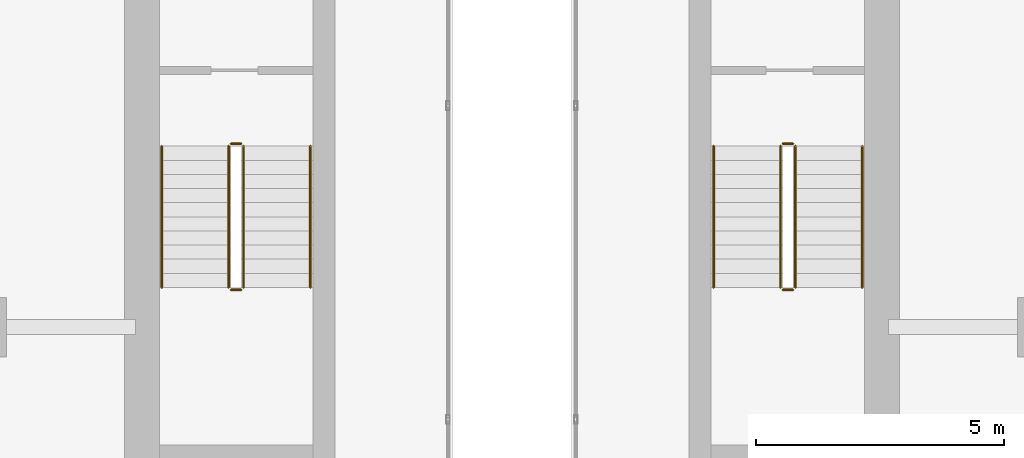
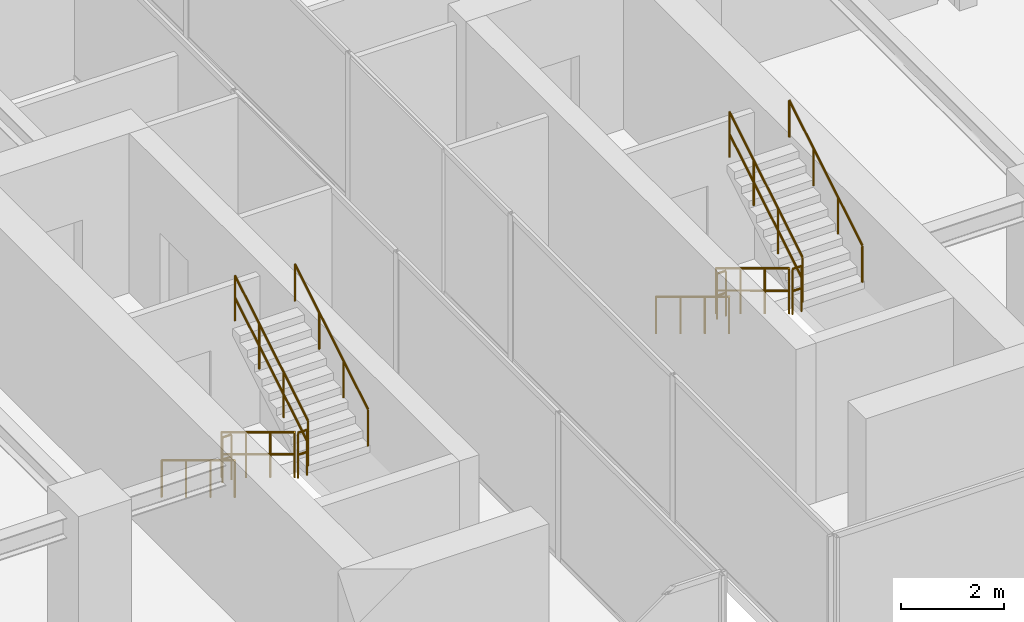
# One storey, part 25 of 25: 12 railings.
"""IFC4 building model written with IfcOpenShell, lengths in metres."""

from ifc_helpers import new_model, si_unit, direction, frame, origin, origin_2d, place, context, subcontext, project, spatial, circle, extrude, material, layer, layer_set, type_object, element, save


model = new_model("IFC4")

# Units and contexts
model_context = context("Model", 3, precision=1e-05, world=origin(), true_north=direction((0.0, 1.0)))
body_context = subcontext(model_context, "Body", "Model", "MODEL_VIEW")
ifc_project = project(units=[si_unit("LENGTHUNIT", "METRE"), si_unit("AREAUNIT", "SQUARE_METRE"), si_unit("VOLUMEUNIT", "CUBIC_METRE"), si_unit("PLANEANGLEUNIT", "RADIAN"), si_unit("MASSUNIT", "GRAM", prefix="KILO")], contexts=[model_context])

# Site, building, storey
site_placement = place(None, origin())
site = spatial("IfcSite", under=ifc_project, at=site_placement, CompositionType="ELEMENT")
building_placement = place(site_placement, origin())
building = spatial("IfcBuilding", under=site, at=building_placement, Name="Krantzveldt Concourse Tower", CompositionType="ELEMENT")
storey_placement = place(building_placement, frame((0.0, 0.0, 370.85009765625)))
storey = spatial("IfcBuildingStorey", under=building, at=storey_placement, Name="L91", CompositionType="ELEMENT", Elevation=370.85009765625)

# Railings
ifc_material = material(Name="Stainless steel 316L", Category="steel")
ifc_layer_1 = layer(ifc_material, 0.06005859375, Name="Stainless steel 316L", Category="steel")
ifc_layer_set_1 = layer_set([ifc_layer_1], Name="Stainless steel 316L (RL-GUARD-1120)")
railing_type_1 = type_object("IfcRailingType", Name="RL-GUARD-1120", PredefinedType="GUARDRAIL", material=ifc_layer_set_1)
railing_1_placement = place(storey_placement, frame((30.280029296875, 19.550048828125, 0.172607421875)))
element("IfcRailing", 1, at=railing_1_placement, inside=storey, type_object=railing_type_1, Name="L91 ST-1 stair guard 1", PredefinedType="GUARDRAIL", context=body_context, shape_type="SweptSolid", body=[
    extrude(circle(Radius=0.02392578125, at=origin_2d()), frame((0.0, 0.0, 1.076171875), z_axis=(0.0, -0.855202751398, 0.518293598264), x_axis=(1.0, 0.0, 0.0)), (0.0, 0.0, 1.0), 3.332763671875),
    extrude(circle(Radius=0.02392578125, at=origin_2d()), frame((0.0, 0.0, 0.550048828125), z_axis=(0.0, -0.855202751398, 0.518293598264), x_axis=(1.0, 0.0, 0.0)), (0.0, 0.0, 1.0), 3.332763671875),
    extrude(circle(Radius=0.02099609375, at=origin_2d()), origin(), (0.0, 0.0, 1.0), 1.052001953125),
    extrude(circle(Radius=0.02099609375, at=origin_2d()), frame((0.0, -0.949951171875, 0.57568359375)), (0.0, 0.0, 1.0), 1.052001953125),
    extrude(circle(Radius=0.02099609375, at=origin_2d()), frame((0.0, -1.900146484375, 1.151611328125)), (0.0, 0.0, 1.0), 1.052001953125),
    extrude(circle(Radius=0.02099609375, at=origin_2d()), frame((0.0, -2.85009765625, 1.727294921875)), (0.0, 0.0, 1.0), 1.052001953125),
])
railing_2_placement = place(storey_placement, frame((30.330078125, 16.64990234375, 1.89990234375)))
element("IfcRailing", 2, at=railing_2_placement, inside=storey, type_object=railing_type_1, Name="L91 ST-1 stair guard 2", PredefinedType="GUARDRAIL", context=body_context, shape_type="SweptSolid", body=[
    extrude(circle(Radius=0.02392578125, at=origin_2d()), frame((0.0, 0.0, 1.076171875), z_axis=(1.0, 0.0, 0.0), x_axis=(0.0, 1.0, 0.0)), (0.0, 0.0, 1.0), 0.199951171875),
    extrude(circle(Radius=0.02392578125, at=origin_2d()), frame((0.0, 0.0, 0.550048828125), z_axis=(1.0, 0.0, 0.0), x_axis=(0.0, 1.0, 0.0)), (0.0, 0.0, 1.0), 0.199951171875),
    extrude(circle(Radius=0.02099609375, at=origin_2d()), origin(), (0.0, 0.0, 1.0), 1.052001953125),
    extrude(circle(Radius=0.02099609375, at=origin_2d()), frame((0.199951171875, 0.0, 0.0)), (0.0, 0.0, 1.0), 1.052001953125),
])
railing_3_placement = place(storey_placement, frame((30.580078125, 16.699951171875, 2.072509765625)))
element("IfcRailing", 3, at=railing_3_placement, inside=storey, type_object=railing_type_1, Name="L91 ST-1 stair guard 3", PredefinedType="GUARDRAIL", context=body_context, shape_type="SweptSolid", body=[
    extrude(circle(Radius=0.02392578125, at=origin_2d()), frame((0.0, 0.0, 1.076171875), z_axis=(0.0, 0.855202751398, 0.518293598264), x_axis=(-1.0, 0.0, 0.0)), (0.0, 0.0, 1.0), 3.332763671875),
    extrude(circle(Radius=0.02392578125, at=origin_2d()), frame((0.0, 0.0, 0.550048828125), z_axis=(0.0, 0.855202751398, 0.518293598264), x_axis=(-1.0, 0.0, 0.0)), (0.0, 0.0, 1.0), 3.332763671875),
    extrude(circle(Radius=0.02099609375, at=origin_2d()), origin(), (0.0, 0.0, 1.0), 1.052001953125),
    extrude(circle(Radius=0.02099609375, at=origin_2d()), frame((0.0, 0.949951171875, 0.57568359375)), (0.0, 0.0, 1.0), 1.052001953125),
    extrude(circle(Radius=0.02099609375, at=origin_2d()), frame((0.0, 1.900146484375, 1.151611328125)), (0.0, 0.0, 1.0), 1.052001953125),
    extrude(circle(Radius=0.02099609375, at=origin_2d()), frame((0.0, 2.85009765625, 1.727294921875)), (0.0, 0.0, 1.0), 1.052001953125),
])
railing_4_placement = place(storey_placement, frame((30.330078125, 19.60009765625, 0.0)))
element("IfcRailing", 4, at=railing_4_placement, inside=storey, type_object=railing_type_1, Name="L91 ST-1 stair guard 4", PredefinedType="GUARDRAIL", context=body_context, shape_type="SweptSolid", body=[
    extrude(circle(Radius=0.02392578125, at=origin_2d()), frame((0.0, 0.0, 1.076171875), z_axis=(1.0, 0.0, 0.0), x_axis=(0.0, 1.0, 0.0)), (0.0, 0.0, 1.0), 0.199951171875),
    extrude(circle(Radius=0.02392578125, at=origin_2d()), frame((0.0, 0.0, 0.550048828125), z_axis=(1.0, 0.0, 0.0), x_axis=(0.0, 1.0, 0.0)), (0.0, 0.0, 1.0), 0.199951171875),
    extrude(circle(Radius=0.02099609375, at=origin_2d()), origin(), (0.0, 0.0, 1.0), 1.052001953125),
    extrude(circle(Radius=0.02099609375, at=origin_2d()), frame((0.199951171875, 0.0, 0.0)), (0.0, 0.0, 1.0), 1.052001953125),
])
railing_5_placement = place(storey_placement, frame((41.419921875, 19.550048828125, 0.172607421875)))
element("IfcRailing", 5, at=railing_5_placement, inside=storey, type_object=railing_type_1, Name="L91 ST-2 stair guard 1", PredefinedType="GUARDRAIL", context=body_context, shape_type="SweptSolid", body=[
    extrude(circle(Radius=0.02392578125, at=origin_2d()), frame((0.0, 0.0, 1.076171875), z_axis=(0.0, -0.855202751398, 0.518293598264), x_axis=(1.0, 0.0, 0.0)), (0.0, 0.0, 1.0), 3.332763671875),
    extrude(circle(Radius=0.02392578125, at=origin_2d()), frame((0.0, 0.0, 0.550048828125), z_axis=(0.0, -0.855202751398, 0.518293598264), x_axis=(1.0, 0.0, 0.0)), (0.0, 0.0, 1.0), 3.332763671875),
    extrude(circle(Radius=0.02099609375, at=origin_2d()), origin(), (0.0, 0.0, 1.0), 1.052001953125),
    extrude(circle(Radius=0.02099609375, at=origin_2d()), frame((0.0, -0.949951171875, 0.57568359375)), (0.0, 0.0, 1.0), 1.052001953125),
    extrude(circle(Radius=0.02099609375, at=origin_2d()), frame((0.0, -1.900146484375, 1.151611328125)), (0.0, 0.0, 1.0), 1.052001953125),
    extrude(circle(Radius=0.02099609375, at=origin_2d()), frame((0.0, -2.85009765625, 1.727294921875)), (0.0, 0.0, 1.0), 1.052001953125),
])
railing_6_placement = place(storey_placement, frame((41.469970703125, 16.64990234375, 1.89990234375)))
element("IfcRailing", 6, at=railing_6_placement, inside=storey, type_object=railing_type_1, Name="L91 ST-2 stair guard 2", PredefinedType="GUARDRAIL", context=body_context, shape_type="SweptSolid", body=[
    extrude(circle(Radius=0.02392578125, at=origin_2d()), frame((0.0, 0.0, 1.076171875), z_axis=(1.0, 0.0, 0.0), x_axis=(0.0, 1.0, 0.0)), (0.0, 0.0, 1.0), 0.199951171875),
    extrude(circle(Radius=0.02392578125, at=origin_2d()), frame((0.0, 0.0, 0.550048828125), z_axis=(1.0, 0.0, 0.0), x_axis=(0.0, 1.0, 0.0)), (0.0, 0.0, 1.0), 0.199951171875),
    extrude(circle(Radius=0.02099609375, at=origin_2d()), origin(), (0.0, 0.0, 1.0), 1.052001953125),
    extrude(circle(Radius=0.02099609375, at=origin_2d()), frame((0.199951171875, 0.0, 0.0)), (0.0, 0.0, 1.0), 1.052001953125),
])
railing_7_placement = place(storey_placement, frame((41.719970703125, 16.699951171875, 2.072509765625)))
element("IfcRailing", 7, at=railing_7_placement, inside=storey, type_object=railing_type_1, Name="L91 ST-2 stair guard 3", PredefinedType="GUARDRAIL", context=body_context, shape_type="SweptSolid", body=[
    extrude(circle(Radius=0.02392578125, at=origin_2d()), frame((0.0, 0.0, 1.076171875), z_axis=(0.0, 0.855202751398, 0.518293598264), x_axis=(-1.0, 0.0, 0.0)), (0.0, 0.0, 1.0), 3.332763671875),
    extrude(circle(Radius=0.02392578125, at=origin_2d()), frame((0.0, 0.0, 0.550048828125), z_axis=(0.0, 0.855202751398, 0.518293598264), x_axis=(-1.0, 0.0, 0.0)), (0.0, 0.0, 1.0), 3.332763671875),
    extrude(circle(Radius=0.02099609375, at=origin_2d()), origin(), (0.0, 0.0, 1.0), 1.052001953125),
    extrude(circle(Radius=0.02099609375, at=origin_2d()), frame((0.0, 0.949951171875, 0.57568359375)), (0.0, 0.0, 1.0), 1.052001953125),
    extrude(circle(Radius=0.02099609375, at=origin_2d()), frame((0.0, 1.900146484375, 1.151611328125)), (0.0, 0.0, 1.0), 1.052001953125),
    extrude(circle(Radius=0.02099609375, at=origin_2d()), frame((0.0, 2.85009765625, 1.727294921875)), (0.0, 0.0, 1.0), 1.052001953125),
])
railing_8_placement = place(storey_placement, frame((41.469970703125, 19.60009765625, 0.0)))
element("IfcRailing", 8, at=railing_8_placement, inside=storey, type_object=railing_type_1, Name="L91 ST-2 stair guard 4", PredefinedType="GUARDRAIL", context=body_context, shape_type="SweptSolid", body=[
    extrude(circle(Radius=0.02392578125, at=origin_2d()), frame((0.0, 0.0, 1.076171875), z_axis=(1.0, 0.0, 0.0), x_axis=(0.0, 1.0, 0.0)), (0.0, 0.0, 1.0), 0.199951171875),
    extrude(circle(Radius=0.02392578125, at=origin_2d()), frame((0.0, 0.0, 0.550048828125), z_axis=(1.0, 0.0, 0.0), x_axis=(0.0, 1.0, 0.0)), (0.0, 0.0, 1.0), 0.199951171875),
    extrude(circle(Radius=0.02099609375, at=origin_2d()), origin(), (0.0, 0.0, 1.0), 1.052001953125),
    extrude(circle(Radius=0.02099609375, at=origin_2d()), frame((0.199951171875, 0.0, 0.0)), (0.0, 0.0, 1.0), 1.052001953125),
])
ifc_layer_2 = layer(ifc_material, 0.050048828125, Name="Stainless steel 316L", Category="steel")
ifc_layer_set_2 = layer_set([ifc_layer_2], Name="Stainless steel 316L (RL-HANDRAIL-920)")
railing_type_2 = type_object("IfcRailingType", Name="RL-HANDRAIL-920", PredefinedType="HANDRAIL", material=ifc_layer_set_2)
railing_9_placement = place(storey_placement, frame((28.929931640625, 19.550048828125, 0.172607421875)))
element("IfcRailing", 9, at=railing_9_placement, inside=storey, type_object=railing_type_2, Name="L91 ST-1 stair handrail 1", PredefinedType="HANDRAIL", context=body_context, shape_type="SweptSolid", body=[
    extrude(circle(Radius=0.02392578125, at=origin_2d()), frame((0.0, 0.0, 0.8759765625), z_axis=(0.0, -0.855202751398, 0.518293598264), x_axis=(1.0, 0.0, 0.0)), (0.0, 0.0, 1.0), 3.332763671875),
    extrude(circle(Radius=0.02099609375, at=origin_2d()), origin(), (0.0, 0.0, 1.0), 0.851806640625),
    extrude(circle(Radius=0.02099609375, at=origin_2d()), frame((0.0, -0.949951171875, 0.57568359375)), (0.0, 0.0, 1.0), 0.851806640625),
    extrude(circle(Radius=0.02099609375, at=origin_2d()), frame((0.0, -1.900146484375, 1.151611328125)), (0.0, 0.0, 1.0), 0.851806640625),
    extrude(circle(Radius=0.02099609375, at=origin_2d()), frame((0.0, -2.85009765625, 1.727294921875)), (0.0, 0.0, 1.0), 0.851806640625),
])
railing_10_placement = place(storey_placement, frame((31.929931640625, 16.699951171875, 2.072509765625)))
element("IfcRailing", 10, at=railing_10_placement, inside=storey, type_object=railing_type_2, Name="L91 ST-1 stair handrail 2", PredefinedType="HANDRAIL", context=body_context, shape_type="SweptSolid", body=[
    extrude(circle(Radius=0.02392578125, at=origin_2d()), frame((0.0, 0.0, 0.8759765625), z_axis=(0.0, 0.855202751398, 0.518293598264), x_axis=(-1.0, 0.0, 0.0)), (0.0, 0.0, 1.0), 3.332763671875),
    extrude(circle(Radius=0.02099609375, at=origin_2d()), origin(), (0.0, 0.0, 1.0), 0.851806640625),
    extrude(circle(Radius=0.02099609375, at=origin_2d()), frame((0.0, 0.949951171875, 0.57568359375)), (0.0, 0.0, 1.0), 0.851806640625),
    extrude(circle(Radius=0.02099609375, at=origin_2d()), frame((0.0, 1.900146484375, 1.151611328125)), (0.0, 0.0, 1.0), 0.851806640625),
    extrude(circle(Radius=0.02099609375, at=origin_2d()), frame((0.0, 2.85009765625, 1.727294921875)), (0.0, 0.0, 1.0), 0.851806640625),
])
railing_11_placement = place(storey_placement, frame((40.070068359375, 19.550048828125, 0.172607421875)))
element("IfcRailing", 11, at=railing_11_placement, inside=storey, type_object=railing_type_2, Name="L91 ST-2 stair handrail 1", PredefinedType="HANDRAIL", context=body_context, shape_type="SweptSolid", body=[
    extrude(circle(Radius=0.02392578125, at=origin_2d()), frame((0.0, 0.0, 0.8759765625), z_axis=(0.0, -0.855202751398, 0.518293598264), x_axis=(1.0, 0.0, 0.0)), (0.0, 0.0, 1.0), 3.332763671875),
    extrude(circle(Radius=0.02099609375, at=origin_2d()), origin(), (0.0, 0.0, 1.0), 0.851806640625),
    extrude(circle(Radius=0.02099609375, at=origin_2d()), frame((0.0, -0.949951171875, 0.57568359375)), (0.0, 0.0, 1.0), 0.851806640625),
    extrude(circle(Radius=0.02099609375, at=origin_2d()), frame((0.0, -1.900146484375, 1.151611328125)), (0.0, 0.0, 1.0), 0.851806640625),
    extrude(circle(Radius=0.02099609375, at=origin_2d()), frame((0.0, -2.85009765625, 1.727294921875)), (0.0, 0.0, 1.0), 0.851806640625),
])
railing_12_placement = place(storey_placement, frame((43.070068359375, 16.699951171875, 2.072509765625)))
element("IfcRailing", 12, at=railing_12_placement, inside=storey, type_object=railing_type_2, Name="L91 ST-2 stair handrail 2", PredefinedType="HANDRAIL", context=body_context, shape_type="SweptSolid", body=[
    extrude(circle(Radius=0.02392578125, at=origin_2d()), frame((0.0, 0.0, 0.8759765625), z_axis=(0.0, 0.855202751398, 0.518293598264), x_axis=(-1.0, 0.0, 0.0)), (0.0, 0.0, 1.0), 3.332763671875),
    extrude(circle(Radius=0.02099609375, at=origin_2d()), origin(), (0.0, 0.0, 1.0), 0.851806640625),
    extrude(circle(Radius=0.02099609375, at=origin_2d()), frame((0.0, 0.949951171875, 0.57568359375)), (0.0, 0.0, 1.0), 0.851806640625),
    extrude(circle(Radius=0.02099609375, at=origin_2d()), frame((0.0, 1.900146484375, 1.151611328125)), (0.0, 0.0, 1.0), 0.851806640625),
    extrude(circle(Radius=0.02099609375, at=origin_2d()), frame((0.0, 2.85009765625, 1.727294921875)), (0.0, 0.0, 1.0), 0.851806640625),
])

save(model, "model.ifc")
